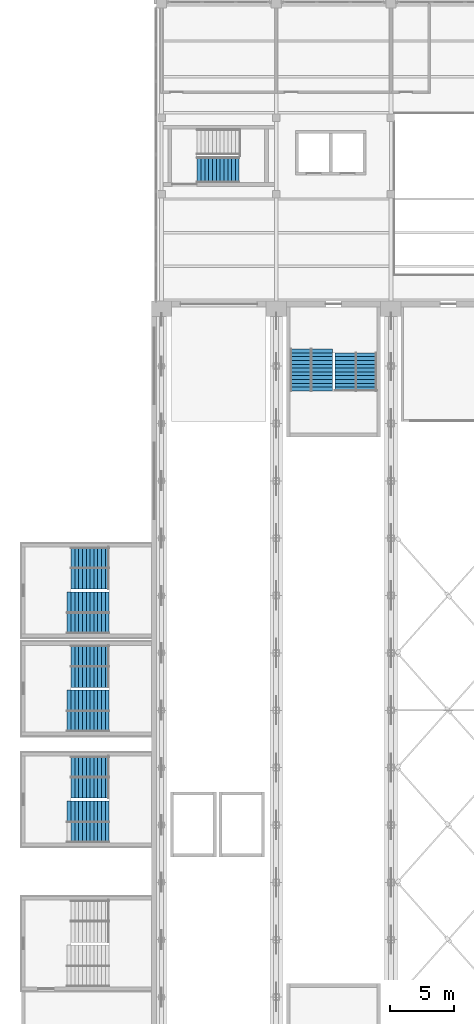
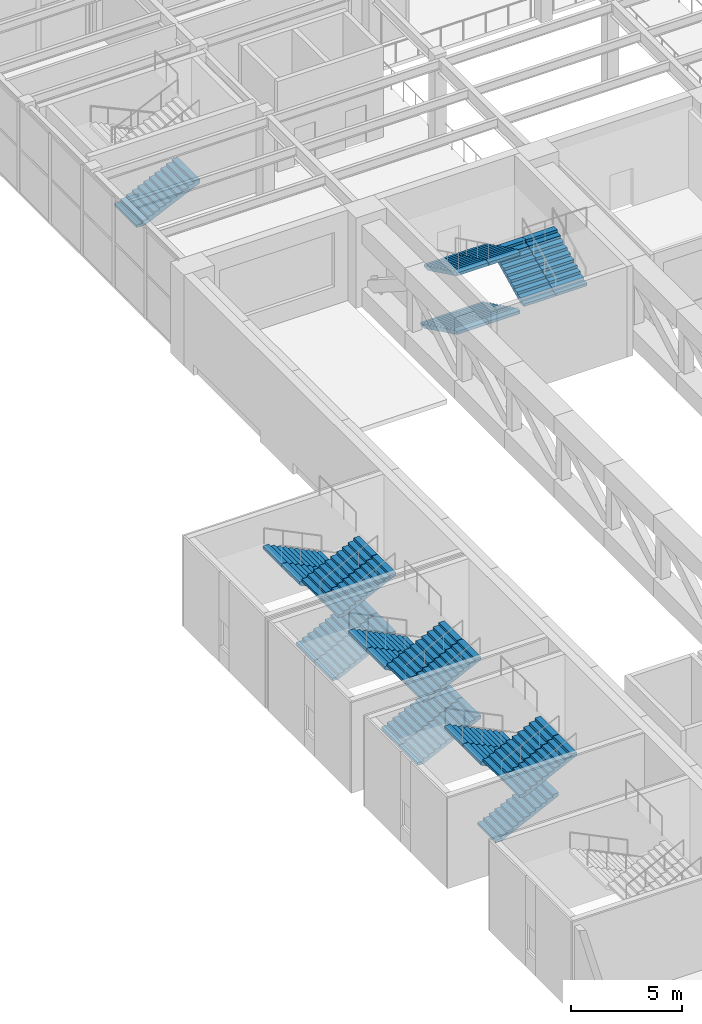
# One storey, part 48 of 76: 24 stair flights, 9 elements without a shape of their own.
"""IFC4 building model written with IfcOpenShell, lengths in metres."""

from ifc_helpers import new_model, si_unit, direction, frame, origin, place, context, subcontext, project, spatial, polyline, outline, extrude, material, type_object, element, aggregate, save


model = new_model("IFC4")

# Units and contexts
model_context = context("Model", 3, precision=1e-05, world=origin(), true_north=direction((0.0, 1.0)))
body_context = subcontext(model_context, "Body", "Model", "MODEL_VIEW")
ifc_project = project(units=[si_unit("LENGTHUNIT", "METRE"), si_unit("AREAUNIT", "SQUARE_METRE"), si_unit("VOLUMEUNIT", "CUBIC_METRE"), si_unit("PLANEANGLEUNIT", "RADIAN"), si_unit("MASSUNIT", "GRAM", prefix="KILO")], contexts=[model_context])

# Site, building, storey
site_placement = place(None, origin())
site = spatial("IfcSite", under=ifc_project, at=site_placement, CompositionType="ELEMENT")
building_placement = place(site_placement, origin())
building = spatial("IfcBuilding", under=site, at=building_placement, Name="Aravalli Gate Trade Fair Centre", CompositionType="ELEMENT")
storey_placement = place(building_placement, frame((0.0, 0.0, 10.0)))
storey = spatial("IfcBuildingStorey", under=building, at=storey_placement, Name="L02", CompositionType="ELEMENT", Elevation=10.0)

# Stair, stair flight
ifc_material_1 = material(Name="Concrete M30", Category="concrete")
stair_type_1 = type_object("IfcStairType", Name="Concourse stair, 2000 wide", PredefinedType="HALF_TURN_STAIR", material=ifc_material_1)
stair_1_placement = place(storey_placement, origin())
stair_1 = element("IfcStair", 1, at=stair_1_placement, inside=storey, type_object=stair_type_1, Name="Stair WS L02", PredefinedType="HALF_TURN_STAIR")
stair_flight_type_1 = type_object("IfcStairFlightType", Name="Concourse stair flight 2000", PredefinedType="STRAIGHT", material=ifc_material_1)
stair_flight_1_placement = place(storey_placement, frame((8.800048828125, 119.89990234375, 0.0), z_axis=(0.0, 0.0, 1.0), x_axis=(1.0, 0.0, 0.0)))
stair_flight_1 = element("IfcStairFlight", 2, at=stair_flight_1_placement, type_object=stair_flight_type_1, Name="STWS-L02 flight 1", NumberOfRisers=12, NumberOfTreads=11, PredefinedType="STRAIGHT", RiserHeight=0.138888889, TreadLength=0.3, context=body_context, shape_type="SweptSolid", body=[
    extrude(outline(polyline([(0.0, 0.0), (0.0, 0.138916015625), (0.300048828125, 0.138916015625), (0.300048828125, 0.27783203125), (0.60009765625, 0.27783203125), (0.60009765625, 0.416748046875), (0.89990234375, 0.416748046875), (0.89990234375, 0.5556640625), (1.199951171875, 0.5556640625), (1.199951171875, 0.6943359375), (1.5, 0.6943359375), (1.5, 0.833251953125), (1.800048828125, 0.833251953125), (1.800048828125, 0.97216796875), (2.10009765625, 0.97216796875), (2.10009765625, 1.111083984375), (2.39990234375, 1.111083984375), (2.39990234375, 1.25), (2.699951171875, 1.25), (2.699951171875, 1.388916015625), (3.0, 1.388916015625), (3.0, 1.52783203125), (3.300048828125, 1.52783203125), (3.300048828125, 1.666748046875), (3.300048828125, 1.307373046875), (0.475830078125, 0.0), (0.0, 0.0)])), frame((0.0, 1.0, 0.0), z_axis=(0.0, -1.0, 0.0), x_axis=(1.0, 0.0, 0.0)), (0.0, 0.0, 1.0), 2.0),
])
aggregate(stair_1, [stair_flight_1])

# Stair, stair flights
ifc_material_2 = material(Name="Concrete M40", Category="concrete")
stair_type_2 = type_object("IfcStairType", Name="Hall exit stair, three flights", PredefinedType="HALF_TURN_STAIR", material=ifc_material_2)
stair_2_placement = place(storey_placement, origin())
stair_2 = element("IfcStair", 3, at=stair_2_placement, inside=storey, type_object=stair_type_2, Name="Exit stair ST-N02 lane A L02", PredefinedType="HALF_TURN_STAIR")
stair_flight_type_2 = type_object("IfcStairFlightType", Name="Hall exit stair flight", PredefinedType="STRAIGHT", material=ifc_material_2)
stair_flight_2_placement = place(storey_placement, frame((16.919921875, 105.85009765625, 0.0), z_axis=(0.0, 0.0, 1.0), x_axis=(0.0, -1.0, 0.0)))
stair_flight_2 = element("IfcStairFlight", 4, at=stair_flight_2_placement, type_object=stair_flight_type_2, Name="ST-N02A flight 1", NumberOfRisers=12, NumberOfTreads=11, PredefinedType="STRAIGHT", RiserHeight=0.147058824, TreadLength=0.3, context=body_context, shape_type="SweptSolid", body=[
    extrude(outline(polyline([(0.0, 0.0), (0.0, 0.14697265625), (0.300048828125, 0.14697265625), (0.300048828125, 0.294189453125), (0.60009765625, 0.294189453125), (0.60009765625, 0.441162109375), (0.89990234375, 0.441162109375), (0.89990234375, 0.588134765625), (1.199951171875, 0.588134765625), (1.199951171875, 0.7353515625), (1.5, 0.7353515625), (1.5, 0.88232421875), (1.800048828125, 0.88232421875), (1.800048828125, 1.029296875), (2.10009765625, 1.029296875), (2.10009765625, 1.176513671875), (2.39990234375, 1.176513671875), (2.39990234375, 1.323486328125), (2.699951171875, 1.323486328125), (2.699951171875, 1.470703125), (3.0, 1.470703125), (3.0, 1.61767578125), (3.300048828125, 1.61767578125), (3.300048828125, 1.7646484375), (3.300048828125, 1.45068359375), (0.340576171875, 0.0), (0.0, 0.0)])), frame((0.0, 0.81982421875, 0.0), z_axis=(0.0, -1.0, 0.0), x_axis=(1.0, 0.0, 0.0)), (0.0, 0.0, 1.0), 1.639892578125),
])
stair_flight_3_placement = place(storey_placement, frame((20.419921875, 102.550048828125, 1.7646484375), z_axis=(0.0, 0.0, 1.0), x_axis=(0.0, 1.0, 0.0)))
stair_flight_3 = element("IfcStairFlight", 5, at=stair_flight_3_placement, type_object=stair_flight_type_2, Name="ST-N02A flight 2", NumberOfRisers=11, NumberOfTreads=10, PredefinedType="STRAIGHT", RiserHeight=0.147058824, TreadLength=0.3, context=body_context, shape_type="SweptSolid", body=[
    extrude(outline(polyline([(0.0, 0.0), (0.0, 0.14697265625), (0.300048828125, 0.14697265625), (0.300048828125, 0.294189453125), (0.60009765625, 0.294189453125), (0.60009765625, 0.441162109375), (0.89990234375, 0.441162109375), (0.89990234375, 0.588134765625), (1.199951171875, 0.588134765625), (1.199951171875, 0.7353515625), (1.5, 0.7353515625), (1.5, 0.88232421875), (1.800048828125, 0.88232421875), (1.800048828125, 1.029296875), (2.10009765625, 1.029296875), (2.10009765625, 1.176513671875), (2.39990234375, 1.176513671875), (2.39990234375, 1.323486328125), (2.699951171875, 1.323486328125), (2.699951171875, 1.470703125), (3.0, 1.470703125), (3.0, 1.61767578125), (3.0, 1.3037109375), (0.340576171875, 0.0), (0.0, 0.0)])), frame((0.0, 0.81982421875, 0.0), z_axis=(0.0, -1.0, 0.0), x_axis=(1.0, 0.0, 0.0)), (0.0, 0.0, 1.0), 1.639892578125),
])
stair_flight_4_placement = place(storey_placement, frame((16.919921875, 105.550048828125, 3.38232421875), z_axis=(0.0, 0.0, 1.0), x_axis=(0.0, -1.0, 0.0)))
stair_flight_4 = element("IfcStairFlight", 6, at=stair_flight_4_placement, type_object=stair_flight_type_2, Name="ST-N02A flight 3", NumberOfRisers=11, NumberOfTreads=10, PredefinedType="STRAIGHT", RiserHeight=0.147058824, TreadLength=0.3, context=body_context, shape_type="SweptSolid", body=[
    extrude(outline(polyline([(0.0, 0.0), (0.0, 0.14697265625), (0.300048828125, 0.14697265625), (0.300048828125, 0.294189453125), (0.60009765625, 0.294189453125), (0.60009765625, 0.441162109375), (0.89990234375, 0.441162109375), (0.89990234375, 0.588134765625), (1.199951171875, 0.588134765625), (1.199951171875, 0.7353515625), (1.5, 0.7353515625), (1.5, 0.88232421875), (1.800048828125, 0.88232421875), (1.800048828125, 1.029296875), (2.10009765625, 1.029296875), (2.10009765625, 1.176513671875), (2.39990234375, 1.176513671875), (2.39990234375, 1.323486328125), (2.699951171875, 1.323486328125), (2.699951171875, 1.470703125), (3.0, 1.470703125), (3.0, 1.61767578125), (3.0, 1.3037109375), (0.340576171875, 0.0), (0.0, 0.0)])), frame((0.0, 0.81982421875, 0.0), z_axis=(0.0, -1.0, 0.0), x_axis=(1.0, 0.0, 0.0)), (0.0, 0.0, 1.0), 1.639892578125),
])
aggregate(stair_2, [stair_flight_2, stair_flight_3, stair_flight_4])

stair_3_placement = place(storey_placement, origin())
stair_3 = element("IfcStair", 7, at=stair_3_placement, inside=storey, type_object=stair_type_2, Name="Exit stair ST-N02 lane B L02", PredefinedType="HALF_TURN_STAIR")
stair_flight_5_placement = place(storey_placement, frame((18.580078125, 105.85009765625, 0.0), z_axis=(0.0, 0.0, 1.0), x_axis=(0.0, -1.0, 0.0)))
stair_flight_5 = element("IfcStairFlight", 8, at=stair_flight_5_placement, type_object=stair_flight_type_2, Name="ST-N02B flight 1", NumberOfRisers=12, NumberOfTreads=11, PredefinedType="STRAIGHT", RiserHeight=0.147058824, TreadLength=0.3, context=body_context, shape_type="SweptSolid", body=[
    extrude(outline(polyline([(0.0, 0.0), (0.0, 0.14697265625), (0.300048828125, 0.14697265625), (0.300048828125, 0.294189453125), (0.60009765625, 0.294189453125), (0.60009765625, 0.441162109375), (0.89990234375, 0.441162109375), (0.89990234375, 0.588134765625), (1.199951171875, 0.588134765625), (1.199951171875, 0.7353515625), (1.5, 0.7353515625), (1.5, 0.88232421875), (1.800048828125, 0.88232421875), (1.800048828125, 1.029296875), (2.10009765625, 1.029296875), (2.10009765625, 1.176513671875), (2.39990234375, 1.176513671875), (2.39990234375, 1.323486328125), (2.699951171875, 1.323486328125), (2.699951171875, 1.470703125), (3.0, 1.470703125), (3.0, 1.61767578125), (3.300048828125, 1.61767578125), (3.300048828125, 1.7646484375), (3.300048828125, 1.45068359375), (0.340576171875, 0.0), (0.0, 0.0)])), frame((0.0, 0.81982421875, 0.0), z_axis=(0.0, -1.0, 0.0), x_axis=(1.0, 0.0, 0.0)), (0.0, 0.0, 1.0), 1.639892578125),
])
stair_flight_6_placement = place(storey_placement, frame((22.080078125, 102.550048828125, 1.7646484375), z_axis=(0.0, 0.0, 1.0), x_axis=(0.0, 1.0, 0.0)))
stair_flight_6 = element("IfcStairFlight", 9, at=stair_flight_6_placement, type_object=stair_flight_type_2, Name="ST-N02B flight 2", NumberOfRisers=11, NumberOfTreads=10, PredefinedType="STRAIGHT", RiserHeight=0.147058824, TreadLength=0.3, context=body_context, shape_type="SweptSolid", body=[
    extrude(outline(polyline([(0.0, 0.0), (0.0, 0.14697265625), (0.300048828125, 0.14697265625), (0.300048828125, 0.294189453125), (0.60009765625, 0.294189453125), (0.60009765625, 0.441162109375), (0.89990234375, 0.441162109375), (0.89990234375, 0.588134765625), (1.199951171875, 0.588134765625), (1.199951171875, 0.7353515625), (1.5, 0.7353515625), (1.5, 0.88232421875), (1.800048828125, 0.88232421875), (1.800048828125, 1.029296875), (2.10009765625, 1.029296875), (2.10009765625, 1.176513671875), (2.39990234375, 1.176513671875), (2.39990234375, 1.323486328125), (2.699951171875, 1.323486328125), (2.699951171875, 1.470703125), (3.0, 1.470703125), (3.0, 1.61767578125), (3.0, 1.3037109375), (0.340576171875, 0.0), (0.0, 0.0)])), frame((0.0, 0.81982421875, 0.0), z_axis=(0.0, -1.0, 0.0), x_axis=(1.0, 0.0, 0.0)), (0.0, 0.0, 1.0), 1.639892578125),
])
stair_flight_7_placement = place(storey_placement, frame((18.580078125, 105.550048828125, 3.38232421875), z_axis=(0.0, 0.0, 1.0), x_axis=(0.0, -1.0, 0.0)))
stair_flight_7 = element("IfcStairFlight", 10, at=stair_flight_7_placement, type_object=stair_flight_type_2, Name="ST-N02B flight 3", NumberOfRisers=11, NumberOfTreads=10, PredefinedType="STRAIGHT", RiserHeight=0.147058824, TreadLength=0.3, context=body_context, shape_type="SweptSolid", body=[
    extrude(outline(polyline([(0.0, 0.0), (0.0, 0.14697265625), (0.300048828125, 0.14697265625), (0.300048828125, 0.294189453125), (0.60009765625, 0.294189453125), (0.60009765625, 0.441162109375), (0.89990234375, 0.441162109375), (0.89990234375, 0.588134765625), (1.199951171875, 0.588134765625), (1.199951171875, 0.7353515625), (1.5, 0.7353515625), (1.5, 0.88232421875), (1.800048828125, 0.88232421875), (1.800048828125, 1.029296875), (2.10009765625, 1.029296875), (2.10009765625, 1.176513671875), (2.39990234375, 1.176513671875), (2.39990234375, 1.323486328125), (2.699951171875, 1.323486328125), (2.699951171875, 1.470703125), (3.0, 1.470703125), (3.0, 1.61767578125), (3.0, 1.3037109375), (0.340576171875, 0.0), (0.0, 0.0)])), frame((0.0, 0.81982421875, 0.0), z_axis=(0.0, -1.0, 0.0), x_axis=(1.0, 0.0, 0.0)), (0.0, 0.0, 1.0), 1.639892578125),
])
aggregate(stair_3, [stair_flight_5, stair_flight_6, stair_flight_7])

stair_4_placement = place(storey_placement, origin())
stair_4 = element("IfcStair", 11, at=stair_4_placement, inside=storey, type_object=stair_type_2, Name="Exit stair ST-W2 lane A L02", PredefinedType="HALF_TURN_STAIR")
stair_flight_8_placement = place(storey_placement, frame((-1.39990234375, 76.6201171875, 0.0), z_axis=(0.0, 0.0, 1.0), x_axis=(1.0, 0.0, 0.0)))
stair_flight_8 = element("IfcStairFlight", 12, at=stair_flight_8_placement, type_object=stair_flight_type_2, Name="ST-W2A flight 1", NumberOfRisers=12, NumberOfTreads=11, PredefinedType="STRAIGHT", RiserHeight=0.147058824, TreadLength=0.3, context=body_context, shape_type="SweptSolid", body=[
    extrude(outline(polyline([(0.0, 0.0), (0.0, 0.14697265625), (0.300048828125, 0.14697265625), (0.300048828125, 0.294189453125), (0.60009765625, 0.294189453125), (0.60009765625, 0.441162109375), (0.89990234375, 0.441162109375), (0.89990234375, 0.588134765625), (1.199951171875, 0.588134765625), (1.199951171875, 0.7353515625), (1.5, 0.7353515625), (1.5, 0.88232421875), (1.800048828125, 0.88232421875), (1.800048828125, 1.029296875), (2.10009765625, 1.029296875), (2.10009765625, 1.176513671875), (2.39990234375, 1.176513671875), (2.39990234375, 1.323486328125), (2.699951171875, 1.323486328125), (2.699951171875, 1.470703125), (3.0, 1.470703125), (3.0, 1.61767578125), (3.300048828125, 1.61767578125), (3.300048828125, 1.7646484375), (3.300048828125, 1.45068359375), (0.340576171875, 0.0), (0.0, 0.0)])), frame((0.0, 0.81982421875, 0.0), z_axis=(0.0, -1.0, 0.0), x_axis=(1.0, 0.0, 0.0)), (0.0, 0.0, 1.0), 1.639892578125),
])
stair_flight_9_placement = place(storey_placement, frame((1.89990234375, 80.1201171875, 1.7646484375), z_axis=(0.0, 0.0, 1.0), x_axis=(-1.0, 0.0, 0.0)))
stair_flight_9 = element("IfcStairFlight", 13, at=stair_flight_9_placement, type_object=stair_flight_type_2, Name="ST-W2A flight 2", NumberOfRisers=11, NumberOfTreads=10, PredefinedType="STRAIGHT", RiserHeight=0.147058824, TreadLength=0.3, context=body_context, shape_type="SweptSolid", body=[
    extrude(outline(polyline([(0.0, 0.0), (0.0, 0.14697265625), (0.300048828125, 0.14697265625), (0.300048828125, 0.294189453125), (0.60009765625, 0.294189453125), (0.60009765625, 0.441162109375), (0.89990234375, 0.441162109375), (0.89990234375, 0.588134765625), (1.199951171875, 0.588134765625), (1.199951171875, 0.7353515625), (1.5, 0.7353515625), (1.5, 0.88232421875), (1.800048828125, 0.88232421875), (1.800048828125, 1.029296875), (2.10009765625, 1.029296875), (2.10009765625, 1.176513671875), (2.39990234375, 1.176513671875), (2.39990234375, 1.323486328125), (2.699951171875, 1.323486328125), (2.699951171875, 1.470703125), (3.0, 1.470703125), (3.0, 1.61767578125), (3.0, 1.3037109375), (0.340576171875, 0.0), (0.0, 0.0)])), frame((0.0, 0.81982421875, 0.0), z_axis=(0.0, -1.0, 0.0), x_axis=(1.0, 0.0, 0.0)), (0.0, 0.0, 1.0), 1.639892578125),
])
stair_flight_10_placement = place(storey_placement, frame((-1.10009765625, 76.6201171875, 3.38232421875), z_axis=(0.0, 0.0, 1.0), x_axis=(1.0, 0.0, 0.0)))
stair_flight_10 = element("IfcStairFlight", 14, at=stair_flight_10_placement, type_object=stair_flight_type_2, Name="ST-W2A flight 3", NumberOfRisers=11, NumberOfTreads=10, PredefinedType="STRAIGHT", RiserHeight=0.147058824, TreadLength=0.3, context=body_context, shape_type="SweptSolid", body=[
    extrude(outline(polyline([(0.0, 0.0), (0.0, 0.14697265625), (0.300048828125, 0.14697265625), (0.300048828125, 0.294189453125), (0.60009765625, 0.294189453125), (0.60009765625, 0.441162109375), (0.89990234375, 0.441162109375), (0.89990234375, 0.588134765625), (1.199951171875, 0.588134765625), (1.199951171875, 0.7353515625), (1.5, 0.7353515625), (1.5, 0.88232421875), (1.800048828125, 0.88232421875), (1.800048828125, 1.029296875), (2.10009765625, 1.029296875), (2.10009765625, 1.176513671875), (2.39990234375, 1.176513671875), (2.39990234375, 1.323486328125), (2.699951171875, 1.323486328125), (2.699951171875, 1.470703125), (3.0, 1.470703125), (3.0, 1.61767578125), (3.0, 1.3037109375), (0.340576171875, 0.0), (0.0, 0.0)])), frame((0.0, 0.81982421875, 0.0), z_axis=(0.0, -1.0, 0.0), x_axis=(1.0, 0.0, 0.0)), (0.0, 0.0, 1.0), 1.639892578125),
])
aggregate(stair_4, [stair_flight_8, stair_flight_9, stair_flight_10])

stair_5_placement = place(storey_placement, origin())
stair_5 = element("IfcStair", 15, at=stair_5_placement, inside=storey, type_object=stair_type_2, Name="Exit stair ST-W2 lane B L02", PredefinedType="HALF_TURN_STAIR")
stair_flight_11_placement = place(storey_placement, frame((-1.39990234375, 78.280029296875, 0.0), z_axis=(0.0, 0.0, 1.0), x_axis=(1.0, 0.0, 0.0)))
stair_flight_11 = element("IfcStairFlight", 16, at=stair_flight_11_placement, type_object=stair_flight_type_2, Name="ST-W2B flight 1", NumberOfRisers=12, NumberOfTreads=11, PredefinedType="STRAIGHT", RiserHeight=0.147058824, TreadLength=0.3, context=body_context, shape_type="SweptSolid", body=[
    extrude(outline(polyline([(0.0, 0.0), (0.0, 0.14697265625), (0.300048828125, 0.14697265625), (0.300048828125, 0.294189453125), (0.60009765625, 0.294189453125), (0.60009765625, 0.441162109375), (0.89990234375, 0.441162109375), (0.89990234375, 0.588134765625), (1.199951171875, 0.588134765625), (1.199951171875, 0.7353515625), (1.5, 0.7353515625), (1.5, 0.88232421875), (1.800048828125, 0.88232421875), (1.800048828125, 1.029296875), (2.10009765625, 1.029296875), (2.10009765625, 1.176513671875), (2.39990234375, 1.176513671875), (2.39990234375, 1.323486328125), (2.699951171875, 1.323486328125), (2.699951171875, 1.470703125), (3.0, 1.470703125), (3.0, 1.61767578125), (3.300048828125, 1.61767578125), (3.300048828125, 1.7646484375), (3.300048828125, 1.45068359375), (0.340576171875, 0.0), (0.0, 0.0)])), frame((0.0, 0.81982421875, 0.0), z_axis=(0.0, -1.0, 0.0), x_axis=(1.0, 0.0, 0.0)), (0.0, 0.0, 1.0), 1.639892578125),
])
stair_flight_12_placement = place(storey_placement, frame((1.89990234375, 81.780029296875, 1.7646484375), z_axis=(0.0, 0.0, 1.0), x_axis=(-1.0, 0.0, 0.0)))
stair_flight_12 = element("IfcStairFlight", 17, at=stair_flight_12_placement, type_object=stair_flight_type_2, Name="ST-W2B flight 2", NumberOfRisers=11, NumberOfTreads=10, PredefinedType="STRAIGHT", RiserHeight=0.147058824, TreadLength=0.3, context=body_context, shape_type="SweptSolid", body=[
    extrude(outline(polyline([(0.0, 0.0), (0.0, 0.14697265625), (0.300048828125, 0.14697265625), (0.300048828125, 0.294189453125), (0.60009765625, 0.294189453125), (0.60009765625, 0.441162109375), (0.89990234375, 0.441162109375), (0.89990234375, 0.588134765625), (1.199951171875, 0.588134765625), (1.199951171875, 0.7353515625), (1.5, 0.7353515625), (1.5, 0.88232421875), (1.800048828125, 0.88232421875), (1.800048828125, 1.029296875), (2.10009765625, 1.029296875), (2.10009765625, 1.176513671875), (2.39990234375, 1.176513671875), (2.39990234375, 1.323486328125), (2.699951171875, 1.323486328125), (2.699951171875, 1.470703125), (3.0, 1.470703125), (3.0, 1.61767578125), (3.0, 1.3037109375), (0.340576171875, 0.0), (0.0, 0.0)])), frame((0.0, 0.81982421875, 0.0), z_axis=(0.0, -1.0, 0.0), x_axis=(1.0, 0.0, 0.0)), (0.0, 0.0, 1.0), 1.639892578125),
])
stair_flight_13_placement = place(storey_placement, frame((-1.10009765625, 78.280029296875, 3.38232421875), z_axis=(0.0, 0.0, 1.0), x_axis=(1.0, 0.0, 0.0)))
stair_flight_13 = element("IfcStairFlight", 18, at=stair_flight_13_placement, type_object=stair_flight_type_2, Name="ST-W2B flight 3", NumberOfRisers=11, NumberOfTreads=10, PredefinedType="STRAIGHT", RiserHeight=0.147058824, TreadLength=0.3, context=body_context, shape_type="SweptSolid", body=[
    extrude(outline(polyline([(0.0, 0.0), (0.0, 0.14697265625), (0.300048828125, 0.14697265625), (0.300048828125, 0.294189453125), (0.60009765625, 0.294189453125), (0.60009765625, 0.441162109375), (0.89990234375, 0.441162109375), (0.89990234375, 0.588134765625), (1.199951171875, 0.588134765625), (1.199951171875, 0.7353515625), (1.5, 0.7353515625), (1.5, 0.88232421875), (1.800048828125, 0.88232421875), (1.800048828125, 1.029296875), (2.10009765625, 1.029296875), (2.10009765625, 1.176513671875), (2.39990234375, 1.176513671875), (2.39990234375, 1.323486328125), (2.699951171875, 1.323486328125), (2.699951171875, 1.470703125), (3.0, 1.470703125), (3.0, 1.61767578125), (3.0, 1.3037109375), (0.340576171875, 0.0), (0.0, 0.0)])), frame((0.0, 0.81982421875, 0.0), z_axis=(0.0, -1.0, 0.0), x_axis=(1.0, 0.0, 0.0)), (0.0, 0.0, 1.0), 1.639892578125),
])
aggregate(stair_5, [stair_flight_11, stair_flight_12, stair_flight_13])

stair_6_placement = place(storey_placement, origin())
stair_6 = element("IfcStair", 19, at=stair_6_placement, inside=storey, type_object=stair_type_2, Name="Exit stair ST-W4 lane A L02", PredefinedType="HALF_TURN_STAIR")
stair_flight_14_placement = place(storey_placement, frame((1.89990234375, 71.419921875, 1.7646484375), z_axis=(0.0, 0.0, 1.0), x_axis=(-1.0, 0.0, 0.0)))
stair_flight_14 = element("IfcStairFlight", 20, at=stair_flight_14_placement, type_object=stair_flight_type_2, Name="ST-W4A flight 2", NumberOfRisers=11, NumberOfTreads=10, PredefinedType="STRAIGHT", RiserHeight=0.147058824, TreadLength=0.3, context=body_context, shape_type="SweptSolid", body=[
    extrude(outline(polyline([(0.0, 0.0), (0.0, 0.14697265625), (0.300048828125, 0.14697265625), (0.300048828125, 0.294189453125), (0.60009765625, 0.294189453125), (0.60009765625, 0.441162109375), (0.89990234375, 0.441162109375), (0.89990234375, 0.588134765625), (1.199951171875, 0.588134765625), (1.199951171875, 0.7353515625), (1.5, 0.7353515625), (1.5, 0.88232421875), (1.800048828125, 0.88232421875), (1.800048828125, 1.029296875), (2.10009765625, 1.029296875), (2.10009765625, 1.176513671875), (2.39990234375, 1.176513671875), (2.39990234375, 1.323486328125), (2.699951171875, 1.323486328125), (2.699951171875, 1.470703125), (3.0, 1.470703125), (3.0, 1.61767578125), (3.0, 1.3037109375), (0.340576171875, 0.0), (0.0, 0.0)])), frame((0.0, 0.81982421875, 0.0), z_axis=(0.0, -1.0, 0.0), x_axis=(1.0, 0.0, 0.0)), (0.0, 0.0, 1.0), 1.639892578125),
])
stair_flight_15_placement = place(storey_placement, frame((-1.10009765625, 67.919921875, 3.38232421875), z_axis=(0.0, 0.0, 1.0), x_axis=(1.0, 0.0, 0.0)))
stair_flight_15 = element("IfcStairFlight", 21, at=stair_flight_15_placement, type_object=stair_flight_type_2, Name="ST-W4A flight 3", NumberOfRisers=11, NumberOfTreads=10, PredefinedType="STRAIGHT", RiserHeight=0.147058824, TreadLength=0.3, context=body_context, shape_type="SweptSolid", body=[
    extrude(outline(polyline([(0.0, 0.0), (0.0, 0.14697265625), (0.300048828125, 0.14697265625), (0.300048828125, 0.294189453125), (0.60009765625, 0.294189453125), (0.60009765625, 0.441162109375), (0.89990234375, 0.441162109375), (0.89990234375, 0.588134765625), (1.199951171875, 0.588134765625), (1.199951171875, 0.7353515625), (1.5, 0.7353515625), (1.5, 0.88232421875), (1.800048828125, 0.88232421875), (1.800048828125, 1.029296875), (2.10009765625, 1.029296875), (2.10009765625, 1.176513671875), (2.39990234375, 1.176513671875), (2.39990234375, 1.323486328125), (2.699951171875, 1.323486328125), (2.699951171875, 1.470703125), (3.0, 1.470703125), (3.0, 1.61767578125), (3.0, 1.3037109375), (0.340576171875, 0.0), (0.0, 0.0)])), frame((0.0, 0.81982421875, 0.0), z_axis=(0.0, -1.0, 0.0), x_axis=(1.0, 0.0, 0.0)), (0.0, 0.0, 1.0), 1.639892578125),
])
aggregate(stair_6, [stair_flight_14, stair_flight_15])

stair_7_placement = place(storey_placement, origin())
stair_7 = element("IfcStair", 22, at=stair_7_placement, inside=storey, type_object=stair_type_2, Name="Exit stair ST-W4 lane B L02", PredefinedType="HALF_TURN_STAIR")
stair_flight_16_placement = place(storey_placement, frame((-1.39990234375, 69.580078125, 0.0), z_axis=(0.0, 0.0, 1.0), x_axis=(1.0, 0.0, 0.0)))
stair_flight_16 = element("IfcStairFlight", 23, at=stair_flight_16_placement, type_object=stair_flight_type_2, Name="ST-W4B flight 1", NumberOfRisers=12, NumberOfTreads=11, PredefinedType="STRAIGHT", RiserHeight=0.147058824, TreadLength=0.3, context=body_context, shape_type="SweptSolid", body=[
    extrude(outline(polyline([(0.0, 0.0), (0.0, 0.14697265625), (0.300048828125, 0.14697265625), (0.300048828125, 0.294189453125), (0.60009765625, 0.294189453125), (0.60009765625, 0.441162109375), (0.89990234375, 0.441162109375), (0.89990234375, 0.588134765625), (1.199951171875, 0.588134765625), (1.199951171875, 0.7353515625), (1.5, 0.7353515625), (1.5, 0.88232421875), (1.800048828125, 0.88232421875), (1.800048828125, 1.029296875), (2.10009765625, 1.029296875), (2.10009765625, 1.176513671875), (2.39990234375, 1.176513671875), (2.39990234375, 1.323486328125), (2.699951171875, 1.323486328125), (2.699951171875, 1.470703125), (3.0, 1.470703125), (3.0, 1.61767578125), (3.300048828125, 1.61767578125), (3.300048828125, 1.7646484375), (3.300048828125, 1.45068359375), (0.340576171875, 0.0), (0.0, 0.0)])), frame((0.0, 0.81982421875, 0.0), z_axis=(0.0, -1.0, 0.0), x_axis=(1.0, 0.0, 0.0)), (0.0, 0.0, 1.0), 1.639892578125),
])
stair_flight_17_placement = place(storey_placement, frame((1.89990234375, 73.080078125, 1.7646484375), z_axis=(0.0, 0.0, 1.0), x_axis=(-1.0, 0.0, 0.0)))
stair_flight_17 = element("IfcStairFlight", 24, at=stair_flight_17_placement, type_object=stair_flight_type_2, Name="ST-W4B flight 2", NumberOfRisers=11, NumberOfTreads=10, PredefinedType="STRAIGHT", RiserHeight=0.147058824, TreadLength=0.3, context=body_context, shape_type="SweptSolid", body=[
    extrude(outline(polyline([(0.0, 0.0), (0.0, 0.14697265625), (0.300048828125, 0.14697265625), (0.300048828125, 0.294189453125), (0.60009765625, 0.294189453125), (0.60009765625, 0.441162109375), (0.89990234375, 0.441162109375), (0.89990234375, 0.588134765625), (1.199951171875, 0.588134765625), (1.199951171875, 0.7353515625), (1.5, 0.7353515625), (1.5, 0.88232421875), (1.800048828125, 0.88232421875), (1.800048828125, 1.029296875), (2.10009765625, 1.029296875), (2.10009765625, 1.176513671875), (2.39990234375, 1.176513671875), (2.39990234375, 1.323486328125), (2.699951171875, 1.323486328125), (2.699951171875, 1.470703125), (3.0, 1.470703125), (3.0, 1.61767578125), (3.0, 1.3037109375), (0.340576171875, 0.0), (0.0, 0.0)])), frame((0.0, 0.81982421875, 0.0), z_axis=(0.0, -1.0, 0.0), x_axis=(1.0, 0.0, 0.0)), (0.0, 0.0, 1.0), 1.639892578125),
])
stair_flight_18_placement = place(storey_placement, frame((-1.10009765625, 69.580078125, 3.38232421875), z_axis=(0.0, 0.0, 1.0), x_axis=(1.0, 0.0, 0.0)))
stair_flight_18 = element("IfcStairFlight", 25, at=stair_flight_18_placement, type_object=stair_flight_type_2, Name="ST-W4B flight 3", NumberOfRisers=11, NumberOfTreads=10, PredefinedType="STRAIGHT", RiserHeight=0.147058824, TreadLength=0.3, context=body_context, shape_type="SweptSolid", body=[
    extrude(outline(polyline([(0.0, 0.0), (0.0, 0.14697265625), (0.300048828125, 0.14697265625), (0.300048828125, 0.294189453125), (0.60009765625, 0.294189453125), (0.60009765625, 0.441162109375), (0.89990234375, 0.441162109375), (0.89990234375, 0.588134765625), (1.199951171875, 0.588134765625), (1.199951171875, 0.7353515625), (1.5, 0.7353515625), (1.5, 0.88232421875), (1.800048828125, 0.88232421875), (1.800048828125, 1.029296875), (2.10009765625, 1.029296875), (2.10009765625, 1.176513671875), (2.39990234375, 1.176513671875), (2.39990234375, 1.323486328125), (2.699951171875, 1.323486328125), (2.699951171875, 1.470703125), (3.0, 1.470703125), (3.0, 1.61767578125), (3.0, 1.3037109375), (0.340576171875, 0.0), (0.0, 0.0)])), frame((0.0, 0.81982421875, 0.0), z_axis=(0.0, -1.0, 0.0), x_axis=(1.0, 0.0, 0.0)), (0.0, 0.0, 1.0), 1.639892578125),
])
aggregate(stair_7, [stair_flight_16, stair_flight_17, stair_flight_18])

stair_8_placement = place(storey_placement, origin())
stair_8 = element("IfcStair", 26, at=stair_8_placement, inside=storey, type_object=stair_type_2, Name="Exit stair ST-W5 lane A L02", PredefinedType="HALF_TURN_STAIR")
stair_flight_19_placement = place(storey_placement, frame((-1.39990234375, 84.320068359375, 0.0), z_axis=(0.0, 0.0, 1.0), x_axis=(1.0, 0.0, 0.0)))
stair_flight_19 = element("IfcStairFlight", 27, at=stair_flight_19_placement, type_object=stair_flight_type_2, Name="ST-W5A flight 1", NumberOfRisers=12, NumberOfTreads=11, PredefinedType="STRAIGHT", RiserHeight=0.147058824, TreadLength=0.3, context=body_context, shape_type="SweptSolid", body=[
    extrude(outline(polyline([(0.0, 0.0), (0.0, 0.14697265625), (0.300048828125, 0.14697265625), (0.300048828125, 0.294189453125), (0.60009765625, 0.294189453125), (0.60009765625, 0.441162109375), (0.89990234375, 0.441162109375), (0.89990234375, 0.588134765625), (1.199951171875, 0.588134765625), (1.199951171875, 0.7353515625), (1.5, 0.7353515625), (1.5, 0.88232421875), (1.800048828125, 0.88232421875), (1.800048828125, 1.029296875), (2.10009765625, 1.029296875), (2.10009765625, 1.176513671875), (2.39990234375, 1.176513671875), (2.39990234375, 1.323486328125), (2.699951171875, 1.323486328125), (2.699951171875, 1.470703125), (3.0, 1.470703125), (3.0, 1.61767578125), (3.300048828125, 1.61767578125), (3.300048828125, 1.7646484375), (3.300048828125, 1.45068359375), (0.340576171875, 0.0), (0.0, 0.0)])), frame((0.0, 0.81982421875, 0.0), z_axis=(0.0, -1.0, 0.0), x_axis=(1.0, 0.0, 0.0)), (0.0, 0.0, 1.0), 1.639892578125),
])
stair_flight_20_placement = place(storey_placement, frame((1.89990234375, 87.820068359375, 1.7646484375), z_axis=(0.0, 0.0, 1.0), x_axis=(-1.0, 0.0, 0.0)))
stair_flight_20 = element("IfcStairFlight", 28, at=stair_flight_20_placement, type_object=stair_flight_type_2, Name="ST-W5A flight 2", NumberOfRisers=11, NumberOfTreads=10, PredefinedType="STRAIGHT", RiserHeight=0.147058824, TreadLength=0.3, context=body_context, shape_type="SweptSolid", body=[
    extrude(outline(polyline([(0.0, 0.0), (0.0, 0.14697265625), (0.300048828125, 0.14697265625), (0.300048828125, 0.294189453125), (0.60009765625, 0.294189453125), (0.60009765625, 0.441162109375), (0.89990234375, 0.441162109375), (0.89990234375, 0.588134765625), (1.199951171875, 0.588134765625), (1.199951171875, 0.7353515625), (1.5, 0.7353515625), (1.5, 0.88232421875), (1.800048828125, 0.88232421875), (1.800048828125, 1.029296875), (2.10009765625, 1.029296875), (2.10009765625, 1.176513671875), (2.39990234375, 1.176513671875), (2.39990234375, 1.323486328125), (2.699951171875, 1.323486328125), (2.699951171875, 1.470703125), (3.0, 1.470703125), (3.0, 1.61767578125), (3.0, 1.3037109375), (0.340576171875, 0.0), (0.0, 0.0)])), frame((0.0, 0.81982421875, 0.0), z_axis=(0.0, -1.0, 0.0), x_axis=(1.0, 0.0, 0.0)), (0.0, 0.0, 1.0), 1.639892578125),
])
stair_flight_21_placement = place(storey_placement, frame((-1.10009765625, 84.320068359375, 3.38232421875), z_axis=(0.0, 0.0, 1.0), x_axis=(1.0, 0.0, 0.0)))
stair_flight_21 = element("IfcStairFlight", 29, at=stair_flight_21_placement, type_object=stair_flight_type_2, Name="ST-W5A flight 3", NumberOfRisers=11, NumberOfTreads=10, PredefinedType="STRAIGHT", RiserHeight=0.147058824, TreadLength=0.3, context=body_context, shape_type="SweptSolid", body=[
    extrude(outline(polyline([(0.0, 0.0), (0.0, 0.14697265625), (0.300048828125, 0.14697265625), (0.300048828125, 0.294189453125), (0.60009765625, 0.294189453125), (0.60009765625, 0.441162109375), (0.89990234375, 0.441162109375), (0.89990234375, 0.588134765625), (1.199951171875, 0.588134765625), (1.199951171875, 0.7353515625), (1.5, 0.7353515625), (1.5, 0.88232421875), (1.800048828125, 0.88232421875), (1.800048828125, 1.029296875), (2.10009765625, 1.029296875), (2.10009765625, 1.176513671875), (2.39990234375, 1.176513671875), (2.39990234375, 1.323486328125), (2.699951171875, 1.323486328125), (2.699951171875, 1.470703125), (3.0, 1.470703125), (3.0, 1.61767578125), (3.0, 1.3037109375), (0.340576171875, 0.0), (0.0, 0.0)])), frame((0.0, 0.81982421875, 0.0), z_axis=(0.0, -1.0, 0.0), x_axis=(1.0, 0.0, 0.0)), (0.0, 0.0, 1.0), 1.639892578125),
])
aggregate(stair_8, [stair_flight_19, stair_flight_20, stair_flight_21])

stair_9_placement = place(storey_placement, origin())
stair_9 = element("IfcStair", 30, at=stair_9_placement, inside=storey, type_object=stair_type_2, Name="Exit stair ST-W5 lane B L02", PredefinedType="HALF_TURN_STAIR")
stair_flight_22_placement = place(storey_placement, frame((-1.39990234375, 85.97998046875, 0.0), z_axis=(0.0, 0.0, 1.0), x_axis=(1.0, 0.0, 0.0)))
stair_flight_22 = element("IfcStairFlight", 31, at=stair_flight_22_placement, type_object=stair_flight_type_2, Name="ST-W5B flight 1", NumberOfRisers=12, NumberOfTreads=11, PredefinedType="STRAIGHT", RiserHeight=0.147058824, TreadLength=0.3, context=body_context, shape_type="SweptSolid", body=[
    extrude(outline(polyline([(0.0, 0.0), (0.0, 0.14697265625), (0.300048828125, 0.14697265625), (0.300048828125, 0.294189453125), (0.60009765625, 0.294189453125), (0.60009765625, 0.441162109375), (0.89990234375, 0.441162109375), (0.89990234375, 0.588134765625), (1.199951171875, 0.588134765625), (1.199951171875, 0.7353515625), (1.5, 0.7353515625), (1.5, 0.88232421875), (1.800048828125, 0.88232421875), (1.800048828125, 1.029296875), (2.10009765625, 1.029296875), (2.10009765625, 1.176513671875), (2.39990234375, 1.176513671875), (2.39990234375, 1.323486328125), (2.699951171875, 1.323486328125), (2.699951171875, 1.470703125), (3.0, 1.470703125), (3.0, 1.61767578125), (3.300048828125, 1.61767578125), (3.300048828125, 1.7646484375), (3.300048828125, 1.45068359375), (0.340576171875, 0.0), (0.0, 0.0)])), frame((0.0, 0.81982421875, 0.0), z_axis=(0.0, -1.0, 0.0), x_axis=(1.0, 0.0, 0.0)), (0.0, 0.0, 1.0), 1.639892578125),
])
stair_flight_23_placement = place(storey_placement, frame((1.89990234375, 89.47998046875, 1.7646484375), z_axis=(0.0, 0.0, 1.0), x_axis=(-1.0, 0.0, 0.0)))
stair_flight_23 = element("IfcStairFlight", 32, at=stair_flight_23_placement, type_object=stair_flight_type_2, Name="ST-W5B flight 2", NumberOfRisers=11, NumberOfTreads=10, PredefinedType="STRAIGHT", RiserHeight=0.147058824, TreadLength=0.3, context=body_context, shape_type="SweptSolid", body=[
    extrude(outline(polyline([(0.0, 0.0), (0.0, 0.14697265625), (0.300048828125, 0.14697265625), (0.300048828125, 0.294189453125), (0.60009765625, 0.294189453125), (0.60009765625, 0.441162109375), (0.89990234375, 0.441162109375), (0.89990234375, 0.588134765625), (1.199951171875, 0.588134765625), (1.199951171875, 0.7353515625), (1.5, 0.7353515625), (1.5, 0.88232421875), (1.800048828125, 0.88232421875), (1.800048828125, 1.029296875), (2.10009765625, 1.029296875), (2.10009765625, 1.176513671875), (2.39990234375, 1.176513671875), (2.39990234375, 1.323486328125), (2.699951171875, 1.323486328125), (2.699951171875, 1.470703125), (3.0, 1.470703125), (3.0, 1.61767578125), (3.0, 1.3037109375), (0.340576171875, 0.0), (0.0, 0.0)])), frame((0.0, 0.81982421875, 0.0), z_axis=(0.0, -1.0, 0.0), x_axis=(1.0, 0.0, 0.0)), (0.0, 0.0, 1.0), 1.639892578125),
])
stair_flight_24_placement = place(storey_placement, frame((-1.10009765625, 85.97998046875, 3.38232421875), z_axis=(0.0, 0.0, 1.0), x_axis=(1.0, 0.0, 0.0)))
stair_flight_24 = element("IfcStairFlight", 33, at=stair_flight_24_placement, type_object=stair_flight_type_2, Name="ST-W5B flight 3", NumberOfRisers=11, NumberOfTreads=10, PredefinedType="STRAIGHT", RiserHeight=0.147058824, TreadLength=0.3, context=body_context, shape_type="SweptSolid", body=[
    extrude(outline(polyline([(0.0, 0.0), (0.0, 0.14697265625), (0.300048828125, 0.14697265625), (0.300048828125, 0.294189453125), (0.60009765625, 0.294189453125), (0.60009765625, 0.441162109375), (0.89990234375, 0.441162109375), (0.89990234375, 0.588134765625), (1.199951171875, 0.588134765625), (1.199951171875, 0.7353515625), (1.5, 0.7353515625), (1.5, 0.88232421875), (1.800048828125, 0.88232421875), (1.800048828125, 1.029296875), (2.10009765625, 1.029296875), (2.10009765625, 1.176513671875), (2.39990234375, 1.176513671875), (2.39990234375, 1.323486328125), (2.699951171875, 1.323486328125), (2.699951171875, 1.470703125), (3.0, 1.470703125), (3.0, 1.61767578125), (3.0, 1.3037109375), (0.340576171875, 0.0), (0.0, 0.0)])), frame((0.0, 0.81982421875, 0.0), z_axis=(0.0, -1.0, 0.0), x_axis=(1.0, 0.0, 0.0)), (0.0, 0.0, 1.0), 1.639892578125),
])
aggregate(stair_9, [stair_flight_22, stair_flight_23, stair_flight_24])

save(model, "model.ifc")
